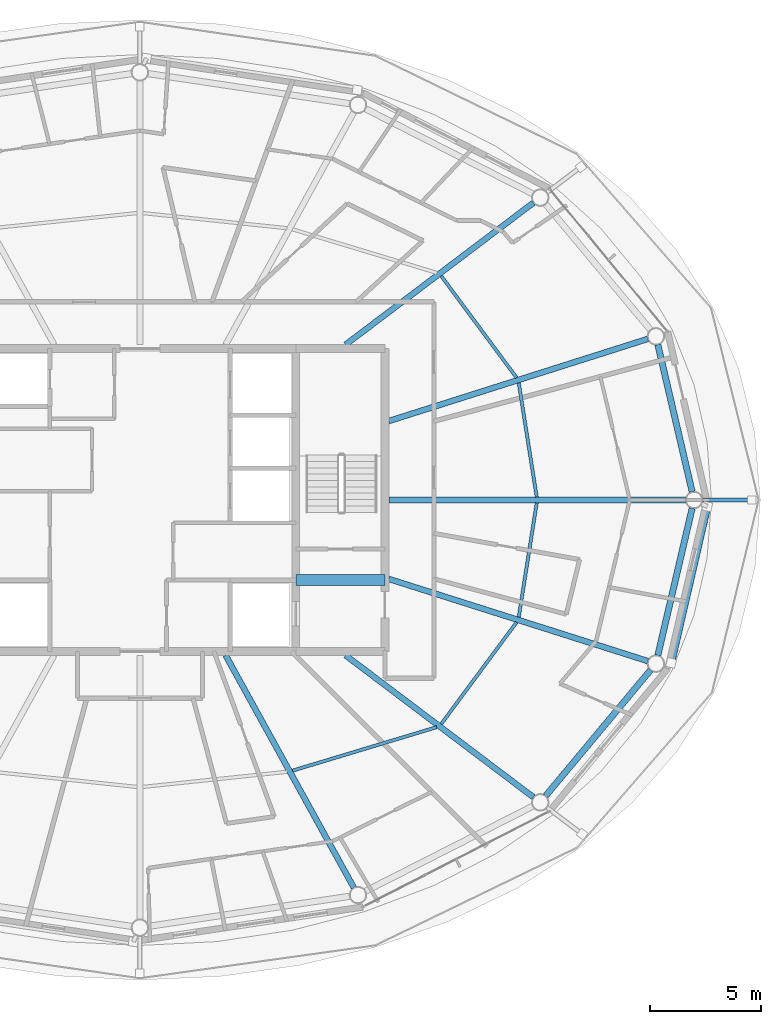
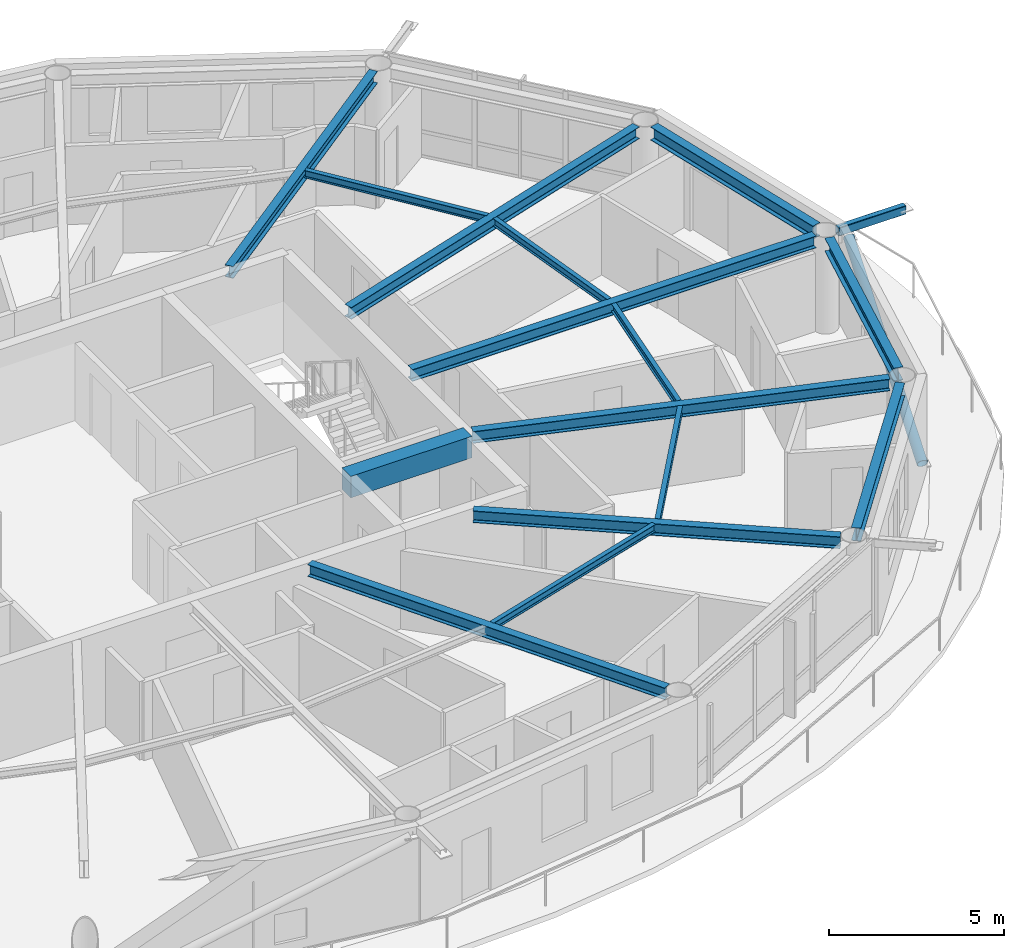
# One storey, part 6 of 23: 15 beams, 2 members.
"""IFC4 building model written with IfcOpenShell, lengths in metres."""

from ifc_helpers import new_model, si_unit, direction, frame, origin, origin_2d, place, context, subcontext, project, spatial, rectangle, hollow_rectangle, hollow_circle, i_section, extrude, material, material_profile, profile_set, type_object, element, save


model = new_model("IFC4")

# Units and contexts
model_context = context("Model", 3, precision=1e-05, world=origin(), true_north=direction((0.0, 1.0)))
body_context = subcontext(model_context, "Body", "Model", "MODEL_VIEW")
ifc_project = project(units=[si_unit("LENGTHUNIT", "METRE"), si_unit("AREAUNIT", "SQUARE_METRE"), si_unit("VOLUMEUNIT", "CUBIC_METRE"), si_unit("PLANEANGLEUNIT", "RADIAN"), si_unit("MASSUNIT", "GRAM", prefix="KILO")], contexts=[model_context])

# Site, building, storey
site_placement = place(None, origin())
site = spatial("IfcSite", under=ifc_project, at=site_placement, CompositionType="ELEMENT")
building_placement = place(site_placement, origin())
building = spatial("IfcBuilding", under=site, at=building_placement, Name="Sarneth Arch Tower", CompositionType="ELEMENT")
storey_placement = place(building_placement, frame((0.0, 0.0, 265.800048828125)))
storey = spatial("IfcBuildingStorey", under=building, at=storey_placement, Name="L68", CompositionType="ELEMENT", Elevation=265.800048828125)

# Beams
ifc_material_1 = material(Name="Steel S355", Category="steel")
ifc_material_profile_1 = material_profile(ifc_material_1, i_section(OverallWidth=0.14794921875, OverallDepth=0.26611328125, WebThickness=0.007568359375, FlangeThickness=0.012939453125, FilletRadius=0.012939453125, at=origin_2d()), Name="W250x44.8")
ifc_profile_set_1 = profile_set([ifc_material_profile_1], Name="Steel S355")
beam_type_1 = type_object("IfcBeamType", Name="BM-JOIST-250", PredefinedType="JOIST", material=ifc_profile_set_1)
beam_1_placement = place(storey_placement, frame((65.818359375, 42.12841796875, 3.237060546875), z_axis=(-0.155520890899, 0.987832603478, 0.0), x_axis=(-0.987832603478, -0.155520890899, 0.0)))
element("IfcBeam", 1, at=beam_1_placement, inside=storey, type_object=beam_type_1, Name="L68 Secondary floor joist 01", PredefinedType="JOIST", context=body_context, shape_type="SweptSolid", body=[
    extrude(i_section(OverallWidth=0.14794921875, OverallDepth=0.26611328125, WebThickness=0.007568359375, FlangeThickness=0.012939453125, FilletRadius=0.012939453125, at=origin_2d()), origin(), (0.0, 0.0, 1.0), 5.194580078125),
])
beam_2_placement = place(storey_placement, frame((64.912841796875, 47.49267578125, 3.237060546875), z_axis=(-0.595431044136, 0.803406417499, 0.0), x_axis=(-0.803406417499, -0.595431044136, 0.0)))
element("IfcBeam", 2, at=beam_2_placement, inside=storey, type_object=beam_type_1, Name="L68 Secondary floor joist 02", PredefinedType="JOIST", context=body_context, shape_type="SweptSolid", body=[
    extrude(i_section(OverallWidth=0.14794921875, OverallDepth=0.26611328125, WebThickness=0.007568359375, FlangeThickness=0.012939453125, FilletRadius=0.012939453125, at=origin_2d()), origin(), (0.0, 0.0, 1.0), 5.680419921875),
])
beam_3_placement = place(storey_placement, frame((54.852783203125, 29.84765625, 3.237060546875), z_axis=(0.957373106971, 0.288854174367, 0.0), x_axis=(-0.288854174367, 0.957373106971, 0.0)))
element("IfcBeam", 3, at=beam_3_placement, inside=storey, type_object=beam_type_1, Name="L68 Secondary floor joist 14", PredefinedType="JOIST", context=body_context, shape_type="SweptSolid", body=[
    extrude(i_section(OverallWidth=0.14794921875, OverallDepth=0.26611328125, WebThickness=0.007568359375, FlangeThickness=0.012939453125, FilletRadius=0.012939453125, at=origin_2d()), origin(), (0.0, 0.0, 1.0), 6.76416015625),
])
beam_4_placement = place(storey_placement, frame((61.530517578125, 31.943603515625, 3.237060546875), z_axis=(0.595431044136, 0.803406417499, 0.0), x_axis=(-0.803406417499, 0.595431044136, 0.0)))
element("IfcBeam", 4, at=beam_4_placement, inside=storey, type_object=beam_type_1, Name="L68 Secondary floor joist 15", PredefinedType="JOIST", context=body_context, shape_type="SweptSolid", body=[
    extrude(i_section(OverallWidth=0.14794921875, OverallDepth=0.26611328125, WebThickness=0.007568359375, FlangeThickness=0.012939453125, FilletRadius=0.012939453125, at=origin_2d()), origin(), (0.0, 0.0, 1.0), 5.680419921875),
])
beam_5_placement = place(storey_placement, frame((65.010498046875, 36.740234375, 3.237060546875), z_axis=(0.155520890899, 0.987832603478, 0.0), x_axis=(-0.987832603478, 0.155520890899, 0.0)))
element("IfcBeam", 5, at=beam_5_placement, inside=storey, type_object=beam_type_1, Name="L68 Secondary floor joist 16", PredefinedType="JOIST", context=body_context, shape_type="SweptSolid", body=[
    extrude(i_section(OverallWidth=0.14794921875, OverallDepth=0.26611328125, WebThickness=0.007568359375, FlangeThickness=0.012939453125, FilletRadius=0.012939453125, at=origin_2d()), origin(), (0.0, 0.0, 1.0), 5.194580078125),
])
ifc_material_2 = material(Name="Concrete C50/60", Category="concrete")
ifc_material_profile_2 = material_profile(ifc_material_2, rectangle(XDim=0.5, YDim=0.75, at=origin_2d()), Name="RC-500x750")
ifc_profile_set_2 = profile_set([ifc_material_profile_2], Name="Concrete C50/60")
beam_type_2 = type_object("IfcBeamType", Name="BM-LINTEL-RC", PredefinedType="LINTEL", material=ifc_profile_set_2)
beam_6_placement = place(storey_placement, frame((55.0, 38.39990234375, 2.994873046875), z_axis=(1.0, 0.0, 0.0), x_axis=(0.0, 1.0, 0.0)))
element("IfcBeam", 6, at=beam_6_placement, inside=storey, type_object=beam_type_2, Name="L68 Core coupling lintel E", PredefinedType="LINTEL", context=body_context, shape_type="SweptSolid", body=[
    extrude(rectangle(XDim=0.5, YDim=0.75, at=origin_2d()), origin(), (0.0, 0.0, 1.0), 4.0),
])
ifc_material_3 = material(Name="Steel S355", Category="steel")
ifc_material_profile_3 = material_profile(ifc_material_3, i_section(OverallWidth=0.260009765625, OverallDepth=0.4150390625, WebThickness=0.010009765625, FlangeThickness=0.016845703125, FilletRadius=0.01611328125, at=origin_2d()), Name="W410x100")
ifc_profile_set_3 = profile_set([ifc_material_profile_3], Name="Steel S355")
beam_type_3 = type_object("IfcBeamType", Name="BM-RAD-410A", PredefinedType="BEAM", material=ifc_profile_set_3)
beam_7_placement = place(storey_placement, frame((59.175048828125, 42.0, 3.162353515625), z_axis=(1.0, 0.0, 0.0), x_axis=(0.0, 1.0, 0.0)))
element("IfcBeam", 7, at=beam_7_placement, inside=storey, type_object=beam_type_3, Name="L68 Radial floor girder 01", PredefinedType="BEAM", context=body_context, shape_type="SweptSolid", body=[
    extrude(i_section(OverallWidth=0.260009765625, OverallDepth=0.4150390625, WebThickness=0.010009765625, FlangeThickness=0.016845703125, FilletRadius=0.01611328125, at=origin_2d()), origin(), (0.0, 0.0, 1.0), 13.3271484375),
])
beam_8_placement = place(storey_placement, frame((59.175048828125, 45.5439453125, 3.162353515625), z_axis=(0.953213623044, 0.302297517096, 0.0), x_axis=(-0.302297517096, 0.953213623044, 0.0)))
element("IfcBeam", 8, at=beam_8_placement, inside=storey, type_object=beam_type_3, Name="L68 Radial floor girder 02", PredefinedType="BEAM", context=body_context, shape_type="SweptSolid", body=[
    extrude(i_section(OverallWidth=0.260009765625, OverallDepth=0.4150390625, WebThickness=0.010009765625, FlangeThickness=0.016845703125, FilletRadius=0.01611328125, at=origin_2d()), origin(), (0.0, 0.0, 1.0), 12.201416015625),
])
beam_9_placement = place(storey_placement, frame((57.23486328125, 48.97509765625, 3.162353515625), z_axis=(0.797969745164, 0.602697507713, 0.0), x_axis=(-0.602697507713, 0.797969745164, 0.0)))
element("IfcBeam", 9, at=beam_9_placement, inside=storey, type_object=beam_type_3, Name="L68 Radial floor girder 03", PredefinedType="BEAM", context=body_context, shape_type="SweptSolid", body=[
    extrude(i_section(OverallWidth=0.260009765625, OverallDepth=0.4150390625, WebThickness=0.010009765625, FlangeThickness=0.016845703125, FilletRadius=0.01611328125, at=origin_2d()), origin(), (0.0, 0.0, 1.0), 10.572265625),
])
beam_10_placement = place(storey_placement, frame((51.849853515625, 35.02490234375, 3.162353515625), z_axis=(0.483231193732, -0.875492783182, 0.0), x_axis=(0.875492783182, 0.483231193732, 0.0)))
element("IfcBeam", 10, at=beam_10_placement, inside=storey, type_object=beam_type_3, Name="L68 Radial floor girder 14", PredefinedType="BEAM", context=body_context, shape_type="SweptSolid", body=[
    extrude(i_section(OverallWidth=0.260009765625, OverallDepth=0.4150390625, WebThickness=0.010009765625, FlangeThickness=0.016845703125, FilletRadius=0.01611328125, at=origin_2d()), origin(), (0.0, 0.0, 1.0), 11.913330078125),
])
beam_11_placement = place(storey_placement, frame((57.23486328125, 35.02490234375, 3.162353515625), z_axis=(0.797969745164, -0.602697507713, 0.0), x_axis=(0.602697507713, 0.797969745164, 0.0)))
element("IfcBeam", 11, at=beam_11_placement, inside=storey, type_object=beam_type_3, Name="L68 Radial floor girder 15", PredefinedType="BEAM", context=body_context, shape_type="SweptSolid", body=[
    extrude(i_section(OverallWidth=0.260009765625, OverallDepth=0.4150390625, WebThickness=0.010009765625, FlangeThickness=0.016845703125, FilletRadius=0.01611328125, at=origin_2d()), origin(), (0.0, 0.0, 1.0), 10.572265625),
])
beam_12_placement = place(storey_placement, frame((59.175048828125, 38.4560546875, 3.162353515625), z_axis=(0.953213623044, -0.302297517096, 0.0), x_axis=(0.302297517096, 0.953213623044, 0.0)))
element("IfcBeam", 12, at=beam_12_placement, inside=storey, type_object=beam_type_3, Name="L68 Radial floor girder 16", PredefinedType="BEAM", context=body_context, shape_type="SweptSolid", body=[
    extrude(i_section(OverallWidth=0.260009765625, OverallDepth=0.4150390625, WebThickness=0.010009765625, FlangeThickness=0.016845703125, FilletRadius=0.01611328125, at=origin_2d()), origin(), (0.0, 0.0, 1.0), 12.201416015625),
])
ifc_material_4 = material(Name="Steel S355", Category="steel")
ifc_material_profile_4 = material_profile(ifc_material_4, i_section(OverallWidth=0.280029296875, OverallDepth=0.462890625, WebThickness=0.0107421875, FlangeThickness=0.017333984375, FilletRadius=0.01806640625, at=origin_2d()), Name="W460x113")
ifc_profile_set_4 = profile_set([ifc_material_profile_4], Name="Steel S355")
beam_type_4 = type_object("IfcBeamType", Name="BM-RAD-460A", PredefinedType="BEAM", material=ifc_profile_set_4)
beam_13_placement = place(storey_placement, frame((72.796630859375, 42.37109375, 3.138427734375), z_axis=(-0.227227339933, 0.973841740729, 0.0), x_axis=(-0.973841740729, -0.227227339933, 0.0)))
element("IfcBeam", 13, at=beam_13_placement, inside=storey, type_object=beam_type_4, Name="L68 Perimeter spandrel beam 01", PredefinedType="BEAM", context=body_context, shape_type="SweptSolid", body=[
    extrude(i_section(OverallWidth=0.280029296875, OverallDepth=0.462890625, WebThickness=0.0107421875, FlangeThickness=0.017333984375, FilletRadius=0.01806640625, at=origin_2d()), origin(), (0.0, 0.0, 1.0), 6.782958984375),
])
beam_14_placement = place(storey_placement, frame((66.21923828125, 28.716064453125, 3.138427734375), z_axis=(0.640377192996, 0.768060577487, 0.0), x_axis=(-0.768060577487, 0.640377192996, 0.0)))
element("IfcBeam", 14, at=beam_14_placement, inside=storey, type_object=beam_type_4, Name="L68 Perimeter spandrel beam 15", PredefinedType="BEAM", context=body_context, shape_type="SweptSolid", body=[
    extrude(i_section(OverallWidth=0.280029296875, OverallDepth=0.462890625, WebThickness=0.0107421875, FlangeThickness=0.017333984375, FilletRadius=0.01806640625, at=origin_2d()), origin(), (0.0, 0.0, 1.0), 7.34814453125),
])
beam_15_placement = place(storey_placement, frame((71.25537109375, 35.0234375, 3.138427734375), z_axis=(0.227227339933, 0.973841740729, 0.0), x_axis=(-0.973841740729, 0.227227339933, 0.0)))
element("IfcBeam", 15, at=beam_15_placement, inside=storey, type_object=beam_type_4, Name="L68 Perimeter spandrel beam 16", PredefinedType="BEAM", context=body_context, shape_type="SweptSolid", body=[
    extrude(i_section(OverallWidth=0.280029296875, OverallDepth=0.462890625, WebThickness=0.0107421875, FlangeThickness=0.017333984375, FilletRadius=0.01806640625, at=origin_2d()), origin(), (0.0, 0.0, 1.0), 6.782958984375),
])

# Members
ifc_material_5 = material(Name="Steel S355", Category="steel")
ifc_material_profile_5 = material_profile(ifc_material_5, hollow_rectangle(XDim=0.199951171875, YDim=0.300048828125, WallThickness=0.012451171875, InnerFilletRadius=0.018798828125, OuterFilletRadius=0.03125, at=origin_2d()), Name="RHS300x200x12.5")
ifc_profile_set_5 = profile_set([ifc_material_profile_5], Name="Steel S355")
member_type_1 = type_object("IfcMemberType", Name="MEM-CANT-STRUT", PredefinedType="STRUT", material=ifc_profile_set_5)
member_1_placement = place(storey_placement, frame((73.26416015625, 42.0, 3.2099609375), z_axis=(1.0, 0.0, 0.0), x_axis=(0.0, 1.0, 0.0)))
element("IfcMember", 16, at=member_1_placement, inside=storey, type_object=member_type_1, Name="L68 Balcony cantilever bracket 01", PredefinedType="STRUT", context=body_context, shape_type="SweptSolid", body=[
    extrude(hollow_rectangle(XDim=0.199951171875, YDim=0.300048828125, WallThickness=0.012451171875, InnerFilletRadius=0.018798828125, OuterFilletRadius=0.03125, at=origin_2d()), origin(), (0.0, 0.0, 1.0), 2.21630859375),
])
ifc_material_6 = material(Name="Steel S355", Category="steel")
ifc_material_profile_6 = material_profile(ifc_material_6, hollow_circle(Radius=0.162109375, WallThickness=0.012451171875, at=origin_2d()), Name="CHS324x12.5")
ifc_profile_set_6 = profile_set([ifc_material_profile_6], Name="Steel S355")
member_type_2 = type_object("IfcMemberType", Name="MEM-DIAG-BR3", PredefinedType="BRACE", material=ifc_profile_set_6)
member_2_placement = place(storey_placement, frame((71.851806640625, 34.6845703125, 0.02001953125), z_axis=(0.207345906073, 0.896276435764, 0.392041102347), x_axis=(-0.974268900284, 0.225388797281, 0.0)))
element("IfcMember", 17, at=member_2_placement, inside=storey, type_object=member_type_2, Name="L68 Perimeter frame diagonal 16", PredefinedType="BRACE", context=body_context, shape_type="SweptSolid", body=[
    extrude(hollow_circle(Radius=0.162109375, WallThickness=0.012451171875, at=origin_2d()), origin(), (0.0, 0.0, 1.0), 7.8359375),
])

save(model, "model.ifc")
